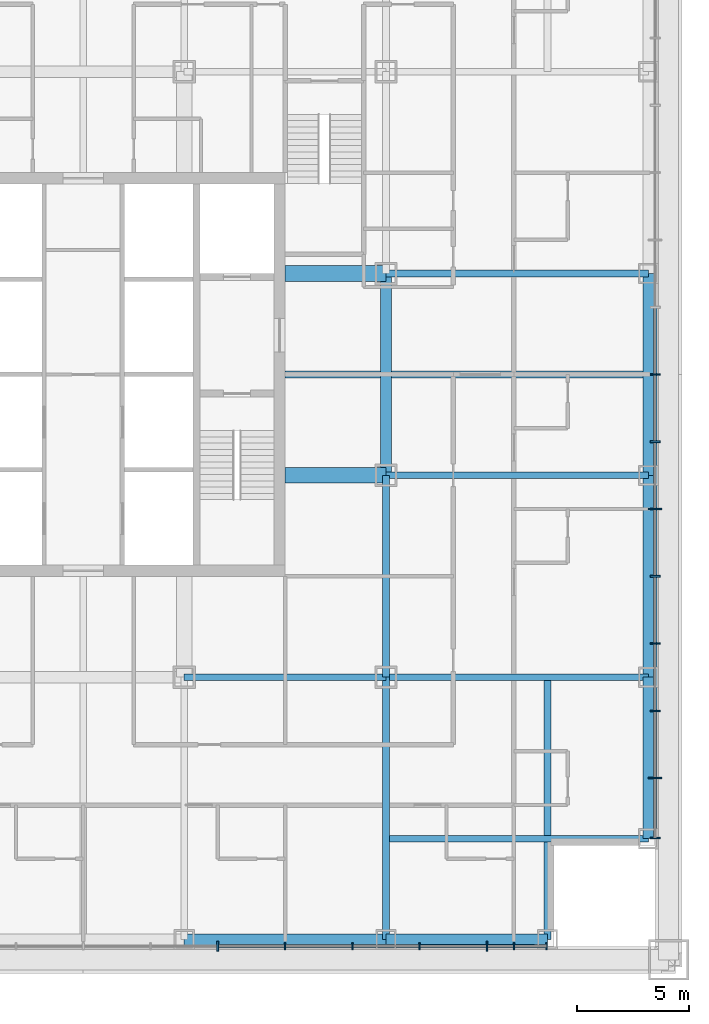
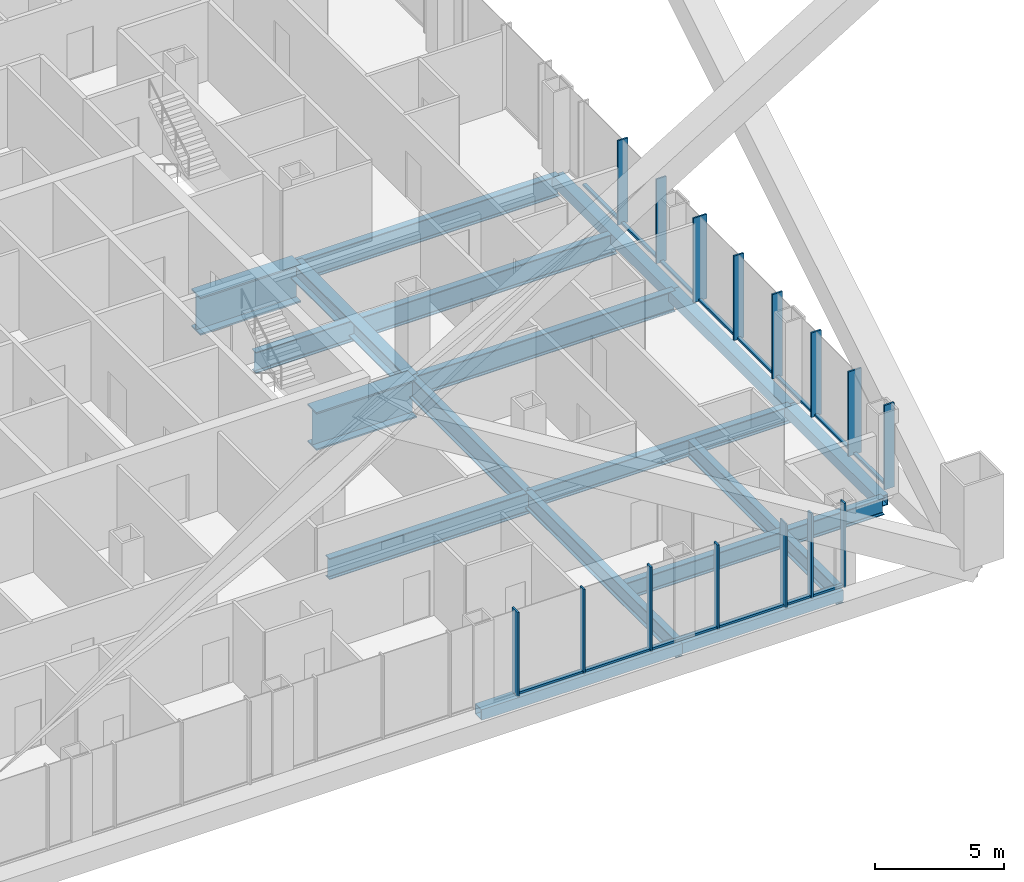
# One storey, part 6 of 21: 29 members, 17 beams, 2 elements without a shape of their own.
"""IFC4 building model written with IfcOpenShell, lengths in metres."""

from ifc_helpers import new_model, si_unit, direction, frame, origin, origin_2d, place, context, subcontext, project, spatial, rectangle, hollow_rectangle, i_section, extrude, material, layer, layer_set, material_profile, profile_set, type_object, element, aggregate, save


model = new_model("IFC4")

# Units and contexts
model_context = context("Model", 3, precision=1e-05, world=origin(), true_north=direction((0.0, 1.0)))
body_context = subcontext(model_context, "Body", "Model", "MODEL_VIEW")
ifc_project = project(units=[si_unit("LENGTHUNIT", "METRE"), si_unit("AREAUNIT", "SQUARE_METRE"), si_unit("VOLUMEUNIT", "CUBIC_METRE"), si_unit("PLANEANGLEUNIT", "RADIAN"), si_unit("MASSUNIT", "GRAM", prefix="KILO")], contexts=[model_context])

# Site, building, storey
site_placement = place(None, origin())
site = spatial("IfcSite", under=ifc_project, at=site_placement, CompositionType="ELEMENT")
building_placement = place(site_placement, origin())
building = spatial("IfcBuilding", under=site, at=building_placement, Name="Malebo Sky Hospital", CompositionType="ELEMENT")
storey_placement = place(building_placement, frame((0.0, 0.0, 63.0)))
storey = spatial("IfcBuildingStorey", under=building, at=storey_placement, Name="L14", CompositionType="ELEMENT", Elevation=63.0)

# Curtain wall, members
ifc_material_1 = material(Name="Anodised aluminium, natural silver", Category="aluminium")
ifc_layer_1 = layer(ifc_material_1, 0.25)
ifc_layer_set_1 = layer_set([ifc_layer_1], Name="WARD CURTAIN WALL NORTH AND SOUTH")
curtain_wall_type_1 = type_object("IfcCurtainWallType", Name="WARD CURTAIN WALL NORTH AND SOUTH", PredefinedType="NOTDEFINED", material=ifc_layer_set_1)
curtain_wall_1_placement = place(storey_placement, origin())
curtain_wall_1 = element("IfcCurtainWall", 1, at=curtain_wall_1_placement, inside=storey, type_object=curtain_wall_type_1, Name="NS curtain wall S", PredefinedType="NOTDEFINED")
ifc_material_profile_1 = material_profile(ifc_material_1, rectangle(XDim=0.14990234375, YDim=0.10009765625, at=origin_2d()), Name="ALUMINIUM TRANSOM 150x100")
ifc_profile_set_1 = profile_set([ifc_material_profile_1], Name="Anodised aluminium, natural silver")
member_type_1 = type_object("IfcMemberType", Name="ALUMINIUM TRANSOM 150x100", PredefinedType="USERDEFINED", material=ifc_profile_set_1)
member_1_placement = place(storey_placement, frame((80.625, 36.5, 0.050048828125), z_axis=(-1.0, 0.0, 0.0), x_axis=(0.0, -1.0, 0.0)))
member_1 = element("IfcMember", 2, at=member_1_placement, type_object=member_type_1, Name="Transom 1", ObjectType="TRANSOM", PredefinedType="USERDEFINED", context=body_context, shape_type="SweptSolid", body=[
    extrude(rectangle(XDim=0.14990234375, YDim=0.10009765625, at=origin_2d()), origin(), (0.0, 0.0, 1.0), 1.387451171875),
])
member_2_placement = place(storey_placement, frame((79.16259765625, 36.5, 0.050048828125), z_axis=(-1.0, 0.0, 0.0), x_axis=(0.0, -1.0, 0.0)))
member_2 = element("IfcMember", 3, at=member_2_placement, type_object=member_type_1, Name="Transom 2", ObjectType="TRANSOM", PredefinedType="USERDEFINED", context=body_context, shape_type="SweptSolid", body=[
    extrude(rectangle(XDim=0.14990234375, YDim=0.10009765625, at=origin_2d()), origin(), (0.0, 0.0, 1.0), 1.125),
])
member_3_placement = place(storey_placement, frame((77.96240234375, 36.5, 0.050048828125), z_axis=(-1.0, 0.0, 0.0), x_axis=(0.0, -1.0, 0.0)))
member_3 = element("IfcMember", 4, at=member_3_placement, type_object=member_type_1, Name="Transom 3", ObjectType="TRANSOM", PredefinedType="USERDEFINED", context=body_context, shape_type="SweptSolid", body=[
    extrude(rectangle(XDim=0.14990234375, YDim=0.10009765625, at=origin_2d()), origin(), (0.0, 0.0, 1.0), 2.9248046875),
])
member_4_placement = place(storey_placement, frame((74.96240234375, 36.5, 0.050048828125), z_axis=(-1.0, 0.0, 0.0), x_axis=(0.0, -1.0, 0.0)))
member_4 = element("IfcMember", 5, at=member_4_placement, type_object=member_type_1, Name="Transom 4", ObjectType="TRANSOM", PredefinedType="USERDEFINED", context=body_context, shape_type="SweptSolid", body=[
    extrude(rectangle(XDim=0.14990234375, YDim=0.10009765625, at=origin_2d()), origin(), (0.0, 0.0, 1.0), 2.9248046875),
])
member_5_placement = place(storey_placement, frame((71.96240234375, 36.5, 0.050048828125), z_axis=(-1.0, 0.0, 0.0), x_axis=(0.0, -1.0, 0.0)))
member_5 = element("IfcMember", 6, at=member_5_placement, type_object=member_type_1, Name="Transom 5", ObjectType="TRANSOM", PredefinedType="USERDEFINED", context=body_context, shape_type="SweptSolid", body=[
    extrude(rectangle(XDim=0.14990234375, YDim=0.10009765625, at=origin_2d()), origin(), (0.0, 0.0, 1.0), 2.9248046875),
])
member_6_placement = place(storey_placement, frame((68.96240234375, 36.5, 0.050048828125), z_axis=(-1.0, 0.0, 0.0), x_axis=(0.0, -1.0, 0.0)))
member_6 = element("IfcMember", 7, at=member_6_placement, type_object=member_type_1, Name="Transom 6", ObjectType="TRANSOM", PredefinedType="USERDEFINED", context=body_context, shape_type="SweptSolid", body=[
    extrude(rectangle(XDim=0.14990234375, YDim=0.10009765625, at=origin_2d()), origin(), (0.0, 0.0, 1.0), 2.9248046875),
])

ifc_layer_2 = layer(ifc_material_1, 0.25)
ifc_layer_set_2 = layer_set([ifc_layer_2], Name="WARD CURTAIN WALL EAST AND WEST")
curtain_wall_type_2 = type_object("IfcCurtainWallType", Name="WARD CURTAIN WALL EAST AND WEST", PredefinedType="NOTDEFINED", material=ifc_layer_set_2)
curtain_wall_2_placement = place(storey_placement, origin())
curtain_wall_2 = element("IfcCurtainWall", 8, at=curtain_wall_2_placement, inside=storey, type_object=curtain_wall_type_2, Name="EW curtain wall E", PredefinedType="NOTDEFINED")
member_7_placement = place(storey_placement, frame((85.5, 64.96240234375, 0.050048828125), z_axis=(0.0, -1.0, 0.0), x_axis=(1.0, 0.0, 0.0)))
member_7 = element("IfcMember", 9, at=member_7_placement, type_object=member_type_1, Name="Transom 8", ObjectType="TRANSOM", PredefinedType="USERDEFINED", context=body_context, shape_type="SweptSolid", body=[
    extrude(rectangle(XDim=0.14990234375, YDim=0.10009765625, at=origin_2d()), origin(), (0.0, 0.0, 1.0), 2.9248046875),
])
member_8_placement = place(storey_placement, frame((85.5, 61.96240234375, 0.050048828125), z_axis=(0.0, -1.0, 0.0), x_axis=(1.0, 0.0, 0.0)))
member_8 = element("IfcMember", 10, at=member_8_placement, type_object=member_type_1, Name="Transom 9", ObjectType="TRANSOM", PredefinedType="USERDEFINED", context=body_context, shape_type="SweptSolid", body=[
    extrude(rectangle(XDim=0.14990234375, YDim=0.10009765625, at=origin_2d()), origin(), (0.0, 0.0, 1.0), 2.9248046875),
])
member_9_placement = place(storey_placement, frame((85.5, 58.96240234375, 0.050048828125), z_axis=(0.0, -1.0, 0.0), x_axis=(1.0, 0.0, 0.0)))
member_9 = element("IfcMember", 11, at=member_9_placement, type_object=member_type_1, Name="Transom 10", ObjectType="TRANSOM", PredefinedType="USERDEFINED", context=body_context, shape_type="SweptSolid", body=[
    extrude(rectangle(XDim=0.14990234375, YDim=0.10009765625, at=origin_2d()), origin(), (0.0, 0.0, 1.0), 2.9248046875),
])
member_10_placement = place(storey_placement, frame((85.5, 55.96240234375, 0.050048828125), z_axis=(0.0, -1.0, 0.0), x_axis=(1.0, 0.0, 0.0)))
member_10 = element("IfcMember", 12, at=member_10_placement, type_object=member_type_1, Name="Transom 11", ObjectType="TRANSOM", PredefinedType="USERDEFINED", context=body_context, shape_type="SweptSolid", body=[
    extrude(rectangle(XDim=0.14990234375, YDim=0.10009765625, at=origin_2d()), origin(), (0.0, 0.0, 1.0), 2.9248046875),
])
member_11_placement = place(storey_placement, frame((85.5, 52.96240234375, 0.050048828125), z_axis=(0.0, -1.0, 0.0), x_axis=(1.0, 0.0, 0.0)))
member_11 = element("IfcMember", 13, at=member_11_placement, type_object=member_type_1, Name="Transom 12", ObjectType="TRANSOM", PredefinedType="USERDEFINED", context=body_context, shape_type="SweptSolid", body=[
    extrude(rectangle(XDim=0.14990234375, YDim=0.10009765625, at=origin_2d()), origin(), (0.0, 0.0, 1.0), 2.9248046875),
])
member_12_placement = place(storey_placement, frame((85.5, 49.96240234375, 0.050048828125), z_axis=(0.0, -1.0, 0.0), x_axis=(1.0, 0.0, 0.0)))
member_12 = element("IfcMember", 14, at=member_12_placement, type_object=member_type_1, Name="Transom 13", ObjectType="TRANSOM", PredefinedType="USERDEFINED", context=body_context, shape_type="SweptSolid", body=[
    extrude(rectangle(XDim=0.14990234375, YDim=0.10009765625, at=origin_2d()), origin(), (0.0, 0.0, 1.0), 2.9248046875),
])
member_13_placement = place(storey_placement, frame((85.5, 46.96240234375, 0.050048828125), z_axis=(0.0, -1.0, 0.0), x_axis=(1.0, 0.0, 0.0)))
member_13 = element("IfcMember", 15, at=member_13_placement, type_object=member_type_1, Name="Transom 14", ObjectType="TRANSOM", PredefinedType="USERDEFINED", context=body_context, shape_type="SweptSolid", body=[
    extrude(rectangle(XDim=0.14990234375, YDim=0.10009765625, at=origin_2d()), origin(), (0.0, 0.0, 1.0), 2.9248046875),
])
member_14_placement = place(storey_placement, frame((85.5, 43.96240234375, 0.050048828125), z_axis=(0.0, -1.0, 0.0), x_axis=(1.0, 0.0, 0.0)))
member_14 = element("IfcMember", 16, at=member_14_placement, type_object=member_type_1, Name="Transom 15", ObjectType="TRANSOM", PredefinedType="USERDEFINED", context=body_context, shape_type="SweptSolid", body=[
    extrude(rectangle(XDim=0.14990234375, YDim=0.10009765625, at=origin_2d()), origin(), (0.0, 0.0, 1.0), 2.58740234375),
])

# Member
ifc_material_profile_2 = material_profile(ifc_material_1, rectangle(XDim=0.074951171875, YDim=0.300048828125, at=origin_2d()), Name="CW1 ALUMINIUM FIN MULLION 75x300")
ifc_profile_set_2 = profile_set([ifc_material_profile_2], Name="Anodised aluminium, natural silver")
member_type_2 = type_object("IfcMemberType", Name="CW1 ALUMINIUM FIN MULLION 75x300", PredefinedType="MULLION", material=ifc_profile_set_2)
member_15_placement = place(storey_placement, frame((80.66259765625, 36.5, 0.0), z_axis=(0.0, 0.0, 1.0), x_axis=(-1.0, 0.0, 0.0)))
member_15 = element("IfcMember", 17, at=member_15_placement, type_object=member_type_2, Name="Fin mullion 1", PredefinedType="MULLION", context=body_context, shape_type="SweptSolid", body=[
    extrude(rectangle(XDim=0.074951171875, YDim=0.300048828125, at=origin_2d()), origin(), (0.0, 0.0, 1.0), 4.0),
])

member_16_placement = place(storey_placement, frame((79.199951171875, 36.5, 0.0), z_axis=(0.0, 0.0, 1.0), x_axis=(-1.0, 0.0, 0.0)))
member_16 = element("IfcMember", 18, at=member_16_placement, type_object=member_type_2, Name="Fin mullion 2", PredefinedType="MULLION", context=body_context, shape_type="SweptSolid", body=[
    extrude(rectangle(XDim=0.074951171875, YDim=0.300048828125, at=origin_2d()), origin(), (0.0, 0.0, 1.0), 4.0),
])

member_17_placement = place(storey_placement, frame((75.0, 36.5, 0.0), z_axis=(0.0, 0.0, 1.0), x_axis=(-1.0, 0.0, 0.0)))
member_17 = element("IfcMember", 19, at=member_17_placement, type_object=member_type_2, Name="Fin mullion 4", PredefinedType="MULLION", context=body_context, shape_type="SweptSolid", body=[
    extrude(rectangle(XDim=0.074951171875, YDim=0.300048828125, at=origin_2d()), origin(), (0.0, 0.0, 1.0), 4.0),
])

member_18_placement = place(storey_placement, frame((72.0, 36.5, 0.0), z_axis=(0.0, 0.0, 1.0), x_axis=(-1.0, 0.0, 0.0)))
member_18 = element("IfcMember", 20, at=member_18_placement, type_object=member_type_2, Name="Fin mullion 5", PredefinedType="MULLION", context=body_context, shape_type="SweptSolid", body=[
    extrude(rectangle(XDim=0.074951171875, YDim=0.300048828125, at=origin_2d()), origin(), (0.0, 0.0, 1.0), 4.0),
])

member_19_placement = place(storey_placement, frame((69.0, 36.5, 0.0), z_axis=(0.0, 0.0, 1.0), x_axis=(-1.0, 0.0, 0.0)))
member_19 = element("IfcMember", 21, at=member_19_placement, type_object=member_type_2, Name="Fin mullion 6", PredefinedType="MULLION", context=body_context, shape_type="SweptSolid", body=[
    extrude(rectangle(XDim=0.074951171875, YDim=0.300048828125, at=origin_2d()), origin(), (0.0, 0.0, 1.0), 4.0),
])

ifc_material_profile_3 = material_profile(ifc_material_1, rectangle(XDim=0.074951171875, YDim=0.449951171875, at=origin_2d()), Name="CW1 ALUMINIUM FIN MULLION 75x450")
ifc_profile_set_3 = profile_set([ifc_material_profile_3], Name="Anodised aluminium, natural silver")
member_type_3 = type_object("IfcMemberType", Name="CW1 ALUMINIUM FIN MULLION 75x450", PredefinedType="MULLION", material=ifc_profile_set_3)
member_20_placement = place(storey_placement, frame((78.0, 36.5, 0.0), z_axis=(0.0, 0.0, 1.0), x_axis=(-1.0, 0.0, 0.0)))
member_20 = element("IfcMember", 22, at=member_20_placement, type_object=member_type_3, Name="Fin mullion 3", PredefinedType="MULLION", context=body_context, shape_type="SweptSolid", body=[
    extrude(rectangle(XDim=0.074951171875, YDim=0.449951171875, at=origin_2d()), origin(), (0.0, 0.0, 1.0), 4.0),
])

member_21_placement = place(storey_placement, frame((66.0, 36.5, 0.0), z_axis=(0.0, 0.0, 1.0), x_axis=(-1.0, 0.0, 0.0)))
member_21 = element("IfcMember", 23, at=member_21_placement, type_object=member_type_3, Name="Fin mullion 7", PredefinedType="MULLION", context=body_context, shape_type="SweptSolid", body=[
    extrude(rectangle(XDim=0.074951171875, YDim=0.449951171875, at=origin_2d()), origin(), (0.0, 0.0, 1.0), 4.0),
])

aggregate(curtain_wall_1, [member_15, member_16, member_20, member_17, member_18, member_19, member_21, member_1, member_2, member_3, member_4, member_5, member_6])

ifc_material_profile_4 = material_profile(ifc_material_1, rectangle(XDim=0.074951171875, YDim=0.449951171875, at=origin_2d()), Name="CW2 ALUMINIUM FIN MULLION 75x450")
ifc_profile_set_4 = profile_set([ifc_material_profile_4], Name="Anodised aluminium, natural silver")
member_type_4 = type_object("IfcMemberType", Name="CW2 ALUMINIUM FIN MULLION 75x450", PredefinedType="MULLION", material=ifc_profile_set_4)
member_22_placement = place(storey_placement, frame((85.5, 62.0, 0.0), z_axis=(0.0, 0.0, 1.0), x_axis=(0.0, -1.0, 0.0)))
member_22 = element("IfcMember", 24, at=member_22_placement, type_object=member_type_4, Name="Fin mullion 9", PredefinedType="MULLION", context=body_context, shape_type="SweptSolid", body=[
    extrude(rectangle(XDim=0.074951171875, YDim=0.449951171875, at=origin_2d()), origin(), (0.0, 0.0, 1.0), 4.0),
])

member_23_placement = place(storey_placement, frame((85.5, 59.0, 0.0), z_axis=(0.0, 0.0, 1.0), x_axis=(0.0, -1.0, 0.0)))
member_23 = element("IfcMember", 25, at=member_23_placement, type_object=member_type_4, Name="Fin mullion 10", PredefinedType="MULLION", context=body_context, shape_type="SweptSolid", body=[
    extrude(rectangle(XDim=0.074951171875, YDim=0.449951171875, at=origin_2d()), origin(), (0.0, 0.0, 1.0), 4.0),
])

member_24_placement = place(storey_placement, frame((85.5, 53.0, 0.0), z_axis=(0.0, 0.0, 1.0), x_axis=(0.0, -1.0, 0.0)))
member_24 = element("IfcMember", 26, at=member_24_placement, type_object=member_type_4, Name="Fin mullion 12", PredefinedType="MULLION", context=body_context, shape_type="SweptSolid", body=[
    extrude(rectangle(XDim=0.074951171875, YDim=0.449951171875, at=origin_2d()), origin(), (0.0, 0.0, 1.0), 4.0),
])

member_25_placement = place(storey_placement, frame((85.5, 50.0, 0.0), z_axis=(0.0, 0.0, 1.0), x_axis=(0.0, -1.0, 0.0)))
member_25 = element("IfcMember", 27, at=member_25_placement, type_object=member_type_4, Name="Fin mullion 13", PredefinedType="MULLION", context=body_context, shape_type="SweptSolid", body=[
    extrude(rectangle(XDim=0.074951171875, YDim=0.449951171875, at=origin_2d()), origin(), (0.0, 0.0, 1.0), 4.0),
])

member_26_placement = place(storey_placement, frame((85.5, 47.0, 0.0), z_axis=(0.0, 0.0, 1.0), x_axis=(0.0, -1.0, 0.0)))
member_26 = element("IfcMember", 28, at=member_26_placement, type_object=member_type_4, Name="Fin mullion 14", PredefinedType="MULLION", context=body_context, shape_type="SweptSolid", body=[
    extrude(rectangle(XDim=0.074951171875, YDim=0.449951171875, at=origin_2d()), origin(), (0.0, 0.0, 1.0), 4.0),
])

member_27_placement = place(storey_placement, frame((85.5, 41.33740234375, 0.0), z_axis=(0.0, 0.0, 1.0), x_axis=(0.0, -1.0, 0.0)))
member_27 = element("IfcMember", 29, at=member_27_placement, type_object=member_type_4, Name="Fin mullion 16", PredefinedType="MULLION", context=body_context, shape_type="SweptSolid", body=[
    extrude(rectangle(XDim=0.074951171875, YDim=0.449951171875, at=origin_2d()), origin(), (0.0, 0.0, 1.0), 4.0),
])

ifc_material_profile_5 = material_profile(ifc_material_1, rectangle(XDim=0.074951171875, YDim=0.60009765625, at=origin_2d()), Name="CW2 ALUMINIUM FIN MULLION 75x600")
ifc_profile_set_5 = profile_set([ifc_material_profile_5], Name="Anodised aluminium, natural silver")
member_type_5 = type_object("IfcMemberType", Name="CW2 ALUMINIUM FIN MULLION 75x600", PredefinedType="MULLION", material=ifc_profile_set_5)
member_28_placement = place(storey_placement, frame((85.5, 56.0, 0.0), z_axis=(0.0, 0.0, 1.0), x_axis=(0.0, -1.0, 0.0)))
member_28 = element("IfcMember", 30, at=member_28_placement, type_object=member_type_5, Name="Fin mullion 11", PredefinedType="MULLION", context=body_context, shape_type="SweptSolid", body=[
    extrude(rectangle(XDim=0.074951171875, YDim=0.60009765625, at=origin_2d()), origin(), (0.0, 0.0, 1.0), 4.0),
])

member_29_placement = place(storey_placement, frame((85.5, 44.0, 0.0), z_axis=(0.0, 0.0, 1.0), x_axis=(0.0, -1.0, 0.0)))
member_29 = element("IfcMember", 31, at=member_29_placement, type_object=member_type_5, Name="Fin mullion 15", PredefinedType="MULLION", context=body_context, shape_type="SweptSolid", body=[
    extrude(rectangle(XDim=0.074951171875, YDim=0.60009765625, at=origin_2d()), origin(), (0.0, 0.0, 1.0), 4.0),
])

aggregate(curtain_wall_2, [member_22, member_23, member_28, member_24, member_25, member_26, member_29, member_27, member_7, member_8, member_9, member_10, member_11, member_12, member_13, member_14])

# Beams
ifc_material_2 = material(Name="Steel S460", Category="steel")
ifc_material_profile_6 = material_profile(ifc_material_2, hollow_rectangle(XDim=0.5, YDim=0.5, WallThickness=0.030029296875, at=origin_2d()), Name="BOX 500x500x30")
ifc_profile_set_6 = profile_set([ifc_material_profile_6], Name="Steel S460")
beam_type_1 = type_object("IfcBeamType", Name="EDGE BEAM BOX 500x500x30", PredefinedType="BEAM", material=ifc_profile_set_6)
beam_1_placement = place(storey_placement, frame((85.199951171875, 41.300048828125, -0.5), z_axis=(0.0, 1.0, 0.0), x_axis=(-1.0, 0.0, 0.0)))
element("IfcBeam", 32, at=beam_1_placement, inside=storey, type_object=beam_type_1, Name="Beam 029 L14", PredefinedType="BEAM", context=body_context, shape_type="SweptSolid", body=[
    extrude(hollow_rectangle(XDim=0.5, YDim=0.5, WallThickness=0.030029296875, at=origin_2d()), origin(), (0.0, 0.0, 1.0), 7.199951171875),
])
for number, where, z_axis, x_axis, name in (
    (33, (85.199951171875, 48.5, -0.5), (0.0, 1.0, 0.0), (-1.0, 0.0, 0.0), "Beam 030 L14"),
    (34, (85.199951171875, 57.5, -0.5), (0.0, 1.0, 0.0), (-1.0, 0.0, 0.0), "Beam 031 L14"),
    (35, (64.5, 36.800048828125, -0.5), (1.0, 0.0, 0.0), (0.0, 1.0, 0.0), "Beam 037 L14"),
):
    element("IfcBeam", number, at=place(storey_placement, frame(where, z_axis=z_axis, x_axis=x_axis)), inside=storey, type_object=beam_type_1, Name=name, PredefinedType="BEAM", context=body_context, shape_type="SweptSolid", body=[
        extrude(hollow_rectangle(XDim=0.5, YDim=0.5, WallThickness=0.030029296875, at=origin_2d()), origin(), (0.0, 0.0, 1.0), 9.0),
    ])
beam_2_placement = place(storey_placement, frame((73.5, 36.800048828125, -0.5), z_axis=(1.0, 0.0, 0.0), x_axis=(0.0, 1.0, 0.0)))
element("IfcBeam", 36, at=beam_2_placement, inside=storey, type_object=beam_type_1, Name="Beam 038 L14", PredefinedType="BEAM", context=body_context, shape_type="SweptSolid", body=[
    extrude(hollow_rectangle(XDim=0.5, YDim=0.5, WallThickness=0.030029296875, at=origin_2d()), origin(), (0.0, 0.0, 1.0), 7.199951171875),
])
ifc_material_3 = material(Name="Steel S355", Category="steel")
ifc_material_profile_7 = material_profile(ifc_material_3, i_section(OverallWidth=0.300048828125, OverallDepth=1.0, WebThickness=0.01904296875, FlangeThickness=0.035888671875, FilletRadius=0.030029296875, at=origin_2d()), Name="HEB 1000")
ifc_profile_set_7 = profile_set([ifc_material_profile_7], Name="Steel S355")
beam_type_2 = type_object("IfcBeamType", Name="FLOOR BEAM HEB 1000", PredefinedType="BEAM", material=ifc_profile_set_7)
for number, where, z_axis, x_axis, name in (
    (37, (73.5, 48.5, -0.75), (0.0, 1.0, 0.0), (-1.0, 0.0, 0.0), "Beam 023 L14"),
    (38, (64.5, 48.5, -0.75), (1.0, 0.0, 0.0), (0.0, 1.0, 0.0), "Beam 044 L14"),
):
    element("IfcBeam", number, at=place(storey_placement, frame(where, z_axis=z_axis, x_axis=x_axis)), inside=storey, type_object=beam_type_2, Name=name, PredefinedType="BEAM", context=body_context, shape_type="SweptSolid", body=[
        extrude(i_section(OverallWidth=0.300048828125, OverallDepth=1.0, WebThickness=0.01904296875, FlangeThickness=0.035888671875, FilletRadius=0.030029296875, at=origin_2d()), origin(), (0.0, 0.0, 1.0), 9.0),
    ])
beam_3_placement = place(storey_placement, frame((73.5, 57.5, -0.75), z_axis=(1.0, 0.0, 0.0), x_axis=(0.0, 1.0, 0.0)))
element("IfcBeam", 39, at=beam_3_placement, inside=storey, type_object=beam_type_2, Name="Beam 049 L14", PredefinedType="BEAM", context=body_context, shape_type="SweptSolid", body=[
    extrude(i_section(OverallWidth=0.300048828125, OverallDepth=1.0, WebThickness=0.01904296875, FlangeThickness=0.035888671875, FilletRadius=0.030029296875, at=origin_2d()), origin(), (0.0, 0.0, 1.0), 11.699951171875),
])
beam_4_placement = place(storey_placement, frame((69.0, 62.0, -0.75), z_axis=(1.0, 0.0, 0.0), x_axis=(0.0, 1.0, 0.0)))
element("IfcBeam", 40, at=beam_4_placement, inside=storey, type_object=beam_type_2, Name="Beam 051 L14", PredefinedType="BEAM", context=body_context, shape_type="SweptSolid", body=[
    extrude(i_section(OverallWidth=0.300048828125, OverallDepth=1.0, WebThickness=0.01904296875, FlangeThickness=0.035888671875, FilletRadius=0.030029296875, at=origin_2d()), origin(), (0.0, 0.0, 1.0), 16.199951171875),
])
beam_5_placement = place(storey_placement, frame((73.5, 66.5, -0.75), z_axis=(1.0, 0.0, 0.0), x_axis=(0.0, 1.0, 0.0)))
element("IfcBeam", 41, at=beam_5_placement, inside=storey, type_object=beam_type_2, Name="Beam 055 L14", PredefinedType="BEAM", context=body_context, shape_type="SweptSolid", body=[
    extrude(i_section(OverallWidth=0.300048828125, OverallDepth=1.0, WebThickness=0.01904296875, FlangeThickness=0.035888671875, FilletRadius=0.030029296875, at=origin_2d()), origin(), (0.0, 0.0, 1.0), 11.699951171875),
])
ifc_material_profile_8 = material_profile(ifc_material_3, i_section(OverallWidth=0.300048828125, OverallDepth=0.800048828125, WebThickness=0.017578125, FlangeThickness=0.032958984375, FilletRadius=0.030029296875, at=origin_2d()), Name="HEB 800")
ifc_profile_set_8 = profile_set([ifc_material_profile_8], Name="Steel S355")
beam_type_3 = type_object("IfcBeamType", Name="FLOOR BEAM HEB 800", PredefinedType="BEAM", material=ifc_profile_set_8)
for number, where, z_axis, x_axis, name in (
    (42, (80.699951171875, 36.800048828125, -0.64990234375), (0.0, 1.0, 0.0), (-1.0, 0.0, 0.0), "Beam 027 L14"),
    (43, (73.5, 41.300048828125, -0.64990234375), (1.0, 0.0, 0.0), (0.0, 1.0, 0.0), "Beam 040 L14"),
):
    element("IfcBeam", number, at=place(storey_placement, frame(where, z_axis=z_axis, x_axis=x_axis)), inside=storey, type_object=beam_type_3, Name=name, PredefinedType="BEAM", context=body_context, shape_type="SweptSolid", body=[
        extrude(i_section(OverallWidth=0.300048828125, OverallDepth=0.800048828125, WebThickness=0.017578125, FlangeThickness=0.032958984375, FilletRadius=0.030029296875, at=origin_2d()), origin(), (0.0, 0.0, 1.0), 11.699951171875),
    ])
ifc_material_profile_9 = material_profile(ifc_material_3, i_section(OverallWidth=0.699951171875, OverallDepth=1.800048828125, WebThickness=0.034912109375, FlangeThickness=0.070068359375, at=origin_2d()), Name="PG 1800x700x35x70")
ifc_profile_set_9 = profile_set([ifc_material_profile_9], Name="Steel S355")
beam_type_4 = type_object("IfcBeamType", Name="FLOOR BEAM PG 1800x700x35x70", PredefinedType="BEAM", material=ifc_profile_set_9)
for number, where, z_axis, x_axis, name in (
    (44, (69.0, 57.5, -1.14990234375), (1.0, 0.0, 0.0), (0.0, 1.0, 0.0), "Beam 048 L14"),
    (45, (69.0, 66.5, -1.14990234375), (1.0, 0.0, 0.0), (0.0, 1.0, 0.0), "Beam 054 L14"),
):
    element("IfcBeam", number, at=place(storey_placement, frame(where, z_axis=z_axis, x_axis=x_axis)), inside=storey, type_object=beam_type_4, Name=name, PredefinedType="BEAM", context=body_context, shape_type="SweptSolid", body=[
        extrude(i_section(OverallWidth=0.699951171875, OverallDepth=1.800048828125, WebThickness=0.034912109375, FlangeThickness=0.070068359375, at=origin_2d()), origin(), (0.0, 0.0, 1.0), 4.5),
    ])
ifc_material_profile_10 = material_profile(ifc_material_3, i_section(OverallWidth=0.300048828125, OverallDepth=0.800048828125, WebThickness=0.017578125, FlangeThickness=0.032958984375, FilletRadius=0.030029296875, at=origin_2d()), Name="HEB 800")
ifc_profile_set_10 = profile_set([ifc_material_profile_10], Name="Steel S355")
beam_type_5 = type_object("IfcBeamType", Name="FLOOR GIRDER HEB 800", PredefinedType="BEAM", material=ifc_profile_set_10)
for number, where, z_axis, x_axis, name in (
    (46, (73.5, 36.800048828125, -0.64990234375), (0.0, 1.0, 0.0), (-1.0, 0.0, 0.0), "Beam 022 L14"),
    (47, (73.5, 48.5, -0.64990234375), (1.0, 0.0, 0.0), (0.0, 1.0, 0.0), "Beam 045 L14"),
):
    element("IfcBeam", number, at=place(storey_placement, frame(where, z_axis=z_axis, x_axis=x_axis)), inside=storey, type_object=beam_type_5, Name=name, PredefinedType="BEAM", context=body_context, shape_type="SweptSolid", body=[
        extrude(i_section(OverallWidth=0.300048828125, OverallDepth=0.800048828125, WebThickness=0.017578125, FlangeThickness=0.032958984375, FilletRadius=0.030029296875, at=origin_2d()), origin(), (0.0, 0.0, 1.0), 11.699951171875),
    ])
ifc_material_profile_11 = material_profile(ifc_material_3, i_section(OverallWidth=0.5, OverallDepth=0.800048828125, WebThickness=0.030029296875, FlangeThickness=0.050048828125, at=origin_2d()), Name="PG 800x500x30x50")
ifc_profile_set_11 = profile_set([ifc_material_profile_11], Name="Steel S355")
beam_type_6 = type_object("IfcBeamType", Name="RING GIRDER PG 800x500x30x50", PredefinedType="BEAM", material=ifc_profile_set_11)
beam_6_placement = place(storey_placement, frame((73.5, 57.5, -0.64990234375), z_axis=(0.0, 1.0, 0.0), x_axis=(-1.0, 0.0, 0.0)))
element("IfcBeam", 48, at=beam_6_placement, inside=storey, type_object=beam_type_6, Name="Beam 024 L14", PredefinedType="BEAM", context=body_context, shape_type="SweptSolid", body=[
    extrude(i_section(OverallWidth=0.5, OverallDepth=0.800048828125, WebThickness=0.030029296875, FlangeThickness=0.050048828125, at=origin_2d()), origin(), (0.0, 0.0, 1.0), 9.0),
])

save(model, "model.ifc")
